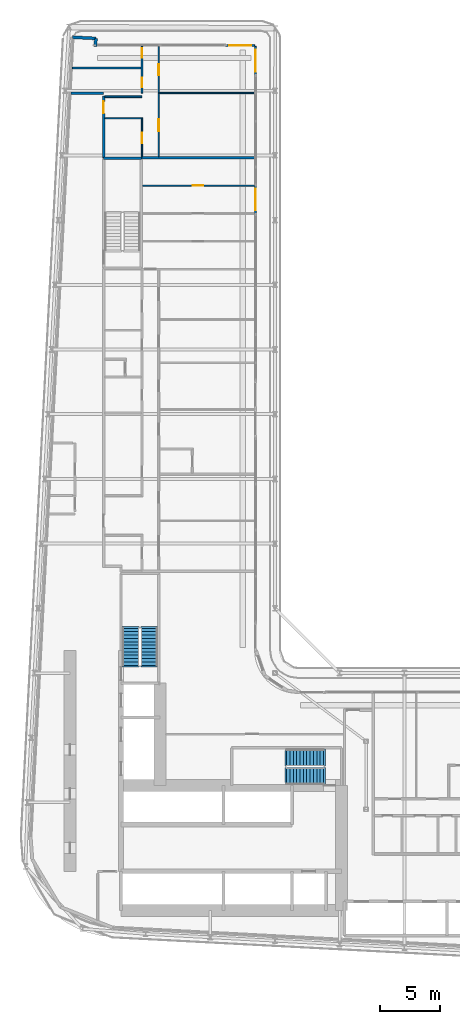
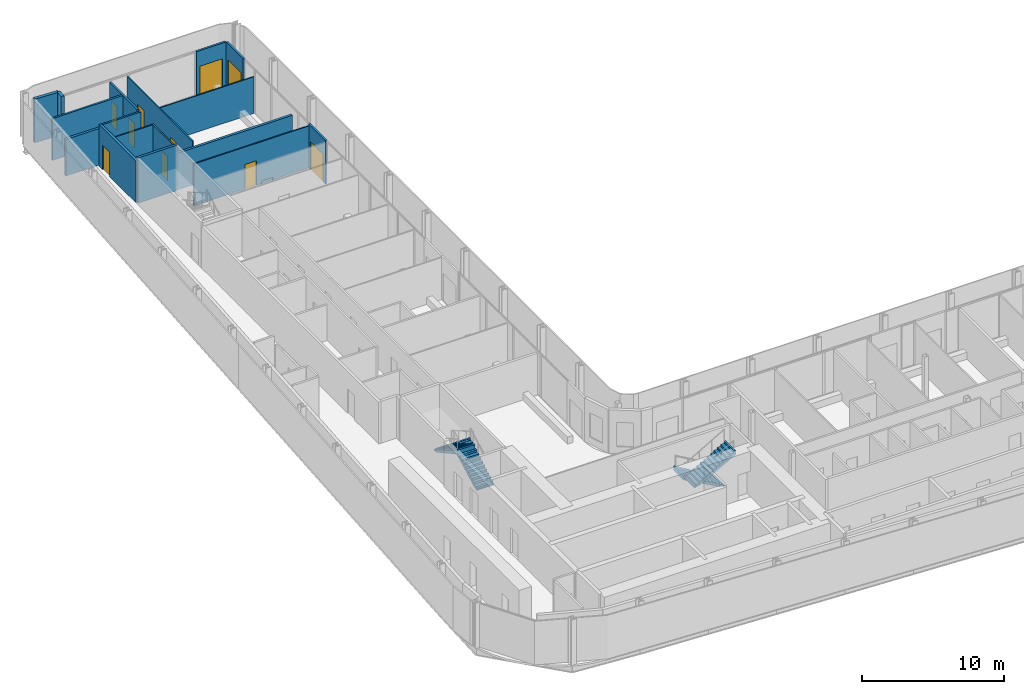
# One storey, part 21 of 29: 17 walls, 10 doors, 4 stair flights, 10 openings, 2 elements without a shape of their own.
"""IFC4 building model written with IfcOpenShell, lengths in metres."""

from ifc_helpers import new_model, si_unit, direction, frame, frame_2d, origin, place, context, subcontext, project, spatial, polyline, rectangle, outline, extrude, source, transform, mapped, material, layer, layer_set, type_object, element, fill, aggregate, save


model = new_model("IFC4")

# Units and contexts
model_context = context("Model", 3, precision=1e-05, world=origin(), true_north=direction((0.0, 1.0)))
body_context = subcontext(model_context, "Body", "Model", "MODEL_VIEW")
ifc_project = project(units=[si_unit("LENGTHUNIT", "METRE"), si_unit("AREAUNIT", "SQUARE_METRE"), si_unit("VOLUMEUNIT", "CUBIC_METRE"), si_unit("PLANEANGLEUNIT", "RADIAN"), si_unit("MASSUNIT", "GRAM", prefix="KILO")], contexts=[model_context])

# Site, building, storey
site_placement = place(None, origin())
site = spatial("IfcSite", under=ifc_project, at=site_placement, CompositionType="ELEMENT")
building_placement = place(site_placement, origin())
building = spatial("IfcBuilding", under=site, at=building_placement, Name="Kheshtan School and Residences Tower", CompositionType="ELEMENT")
storey_placement = place(building_placement, frame((0.0, 0.0, 61.699951171875)))
storey = spatial("IfcBuildingStorey", under=building, at=storey_placement, Name="L14", CompositionType="ELEMENT", Elevation=61.699951171875)

# Wall
ifc_material_1 = material(Name="Gypsum board on steel studs with fire boards", Category="steel")
ifc_layer_1 = layer(ifc_material_1, 0.199951171875)
ifc_layer_set_1 = layer_set([ifc_layer_1], Name="Corridor wall 200")
wall_type_1 = type_object("IfcWallType", Name="Corridor wall 200", PredefinedType="PARTITIONING", material=ifc_layer_set_1)
wall_1_placement = place(storey_placement, frame((30.584716796875, 94.0, 0.0), z_axis=(0.0, 0.0, 1.0), x_axis=(1.0, 0.0, 0.0)))
element("IfcWall", 1, at=wall_1_placement, inside=storey, type_object=wall_type_1, Name="Partition L14-002", PredefinedType="PARTITIONING", context=body_context, shape_type="SweptSolid", body=[
    extrude(rectangle(XDim=2.71533203125, YDim=0.199951171875, at=frame_2d((1.357666015625, 0.0))), origin(), (0.0, 0.0, 1.0), 3.14697265625),
])

# Wall, opening, door
wall_2_placement = place(storey_placement, frame((33.300048828125, 88.60009765625, 0.0), z_axis=(0.0, 0.0, 1.0), x_axis=(0.0, 1.0, 0.0)))
wall_2 = element("IfcWall", 2, at=wall_2_placement, inside=storey, type_object=wall_type_1, Name="Partition L14-004", PredefinedType="PARTITIONING", context=body_context, shape_type="SweptSolid", body=[
    extrude(rectangle(XDim=5.1748046875, YDim=0.199951171875, at=frame_2d((2.58740234375, 0.0))), origin(), (0.0, 0.0, 1.0), 3.60009765625),
])
opening_1_placement = place(wall_2_placement, frame((3.699951171875, 0.0, 0.0)))
opening_1 = element("IfcOpeningElement", 3, at=opening_1_placement, cuts=wall_2, Name="Opening D14-053", PredefinedType="OPENING", context=body_context, shape_type="SweptSolid", body=[
    extrude(rectangle(XDim=1.0, YDim=2.10009765625, at=frame_2d((0.5, 1.050048828125))), frame((0.0, 0.10986328125, 0.0), z_axis=(0.0, -1.0, 0.0), x_axis=(1.0, 0.0, 0.0)), (0.0, 0.0, 1.0), 0.219970703125),
])
ifc_material_2 = material(Name="Steel-framed fire-resisting door leaf", Category="steel")
door_type_1 = type_object("IfcDoorType", Name="Fire door FD30S 1000 x 2100", OperationType="SINGLE_SWING_LEFT", PredefinedType="DOOR", material=ifc_material_2)
shared_shape_1 = source(origin(), body_context, "Body", "SweptSolid", [
    extrude(rectangle(XDim=1.0, YDim=2.10009765625, at=frame_2d((0.5, 1.050048828125))), frame((0.0, 0.02490234375, 0.0), z_axis=(0.0, -1.0, 0.0), x_axis=(1.0, 0.0, 0.0)), (0.0, 0.0, 1.0), 0.050048828125),
])
door_1_placement = place(opening_1_placement, origin())
door_1 = element("IfcDoor", 4, at=door_1_placement, inside=storey, type_object=door_type_1, Name="Door D14-053", OperationType="SINGLE_SWING_RIGHT", OverallHeight=2.10009765625, OverallWidth=1.0, PredefinedType="DOOR", context=body_context, shape_type="MappedRepresentation", body=[
    mapped(shared_shape_1, transform((0.0, 0.0, 0.0), x_axis=(1.0, 0.0, 0.0), y_axis=(0.0, 1.0, 0.0), z_axis=(0.0, 0.0, 1.0), scale=1.0)),
])
fill(opening_1, door_1)

# Walls
ifc_material_3 = material(Name="Concrete C40/50 with ceramic cladding and mineral wool insulation", Category="concrete")
ifc_layer_2 = layer(ifc_material_3, 0.25)
ifc_layer_set_2 = layer_set([ifc_layer_2], Name="External wall 250 ceramic clad")
wall_type_2 = type_object("IfcWallType", Name="External wall 250 ceramic clad", PredefinedType="SOLIDWALL", material=ifc_layer_set_2)
wall_3_placement = place(storey_placement, frame((30.705078125, 98.6640625, 0.0), z_axis=(0.0, 0.0, 1.0), x_axis=(0.998577785791, -0.053314216913, 0.0)))
element("IfcWall", 5, at=wall_3_placement, inside=storey, type_object=wall_type_2, Name="External wall L14 5", PredefinedType="SOLIDWALL", context=body_context, shape_type="SweptSolid", body=[
    extrude(rectangle(XDim=1.95068359375, YDim=0.25, at=frame_2d((0.975341796875, 0.0))), origin(), (0.0, 0.0, 1.0), 3.75),
])
wall_4_placement = place(storey_placement, frame((32.653076171875, 98.56005859375, 0.0), z_axis=(0.0, 0.0, 1.0), x_axis=(-0.054093451632, -0.998535877418, 0.0)))
element("IfcWall", 6, at=wall_4_placement, inside=storey, type_object=wall_type_2, Name="External wall L14 6", PredefinedType="SOLIDWALL", context=body_context, shape_type="SweptSolid", body=[
    extrude(rectangle(XDim=0.66796875, YDim=0.25, at=frame_2d((0.333984375, 0.0))), origin(), (0.0, 0.0, 1.0), 3.75),
])

# Wall, opening, door
ifc_material_4 = material(Name="Aluminium frame wall with insulated infill", Category="aluminium")
ifc_layer_3 = layer(ifc_material_4, 0.14990234375)
ifc_layer_set_3 = layer_set([ifc_layer_3], Name="Glazing frame wall 150")
wall_type_3 = type_object("IfcWallType", Name="Glazing frame wall 150", PredefinedType="SOLIDWALL", material=ifc_layer_set_3)
wall_5_placement = place(storey_placement, frame((43.5, 97.97509765625, 0.0), z_axis=(0.0, 0.0, 1.0), x_axis=(1.0, 0.0, 0.0)))
wall_5 = element("IfcWall", 7, at=wall_5_placement, inside=storey, type_object=wall_type_3, Name="Balcony door wall L14 7.1", PredefinedType="SOLIDWALL", context=body_context, shape_type="SweptSolid", body=[
    extrude(rectangle(XDim=2.39990234375, YDim=0.14990234375, at=frame_2d((1.199951171875, 0.0))), origin(), (0.0, 0.0, 1.0), 3.75),
])
opening_2_placement = place(wall_5_placement, frame((0.300048828125, 0.0, 0.0)))
opening_2 = element("IfcOpeningElement", 8, at=opening_2_placement, cuts=wall_5, Name="Opening BD", PredefinedType="OPENING", context=body_context, shape_type="SweptSolid", body=[
    extrude(rectangle(XDim=1.800048828125, YDim=2.39990234375, at=frame_2d((0.89990234375, 1.199951171875))), frame((0.0, 0.0849609375, 0.0), z_axis=(0.0, -1.0, 0.0), x_axis=(1.0, 0.0, 0.0)), (0.0, 0.0, 1.0), 0.169921875),
])
ifc_material_5 = material(Name="Clear low-e glass in thermally broken aluminium frame", Category="aluminium")
door_type_2 = type_object("IfcDoorType", Name="Balcony sliding door", OperationType="SLIDING_TO_LEFT", PredefinedType="DOOR", material=ifc_material_5)
shared_shape_2 = source(origin(), body_context, "Body", "SweptSolid", [
    extrude(rectangle(XDim=1.800048828125, YDim=2.39990234375, at=frame_2d((0.89990234375, 1.199951171875))), frame((0.0, 0.02490234375, 0.0), z_axis=(0.0, -1.0, 0.0), x_axis=(1.0, 0.0, 0.0)), (0.0, 0.0, 1.0), 0.050048828125),
])
door_2_placement = place(opening_2_placement, origin())
door_2 = element("IfcDoor", 9, at=door_2_placement, inside=storey, type_object=door_type_2, Name="Balcony door L14 7.1", OperationType="SLIDING_TO_LEFT", OverallHeight=2.39990234375, OverallWidth=1.800048828125, PredefinedType="DOOR", context=body_context, shape_type="MappedRepresentation", body=[
    mapped(shared_shape_2, transform((0.0, 0.0, 0.0), x_axis=(1.0, 0.0, 0.0), y_axis=(0.0, 1.0, 0.0), z_axis=(0.0, 0.0, 1.0), scale=1.0)),
])
fill(opening_2, door_2)

wall_6_placement = place(storey_placement, frame((45.97509765625, 97.89990234375, 0.0), z_axis=(0.0, 0.0, 1.0), x_axis=(0.0, -1.0, 0.0)))
wall_6 = element("IfcWall", 10, at=wall_6_placement, inside=storey, type_object=wall_type_3, Name="Balcony door wall L14 8.1", PredefinedType="SOLIDWALL", context=body_context, shape_type="SweptSolid", body=[
    extrude(rectangle(XDim=2.39990234375, YDim=0.14990234375, at=frame_2d((1.199951171875, 0.0))), origin(), (0.0, 0.0, 1.0), 3.75),
])
opening_3_placement = place(wall_6_placement, frame((0.300048828125, 0.0, 0.0)))
opening_3 = element("IfcOpeningElement", 11, at=opening_3_placement, cuts=wall_6, Name="Opening BD", PredefinedType="OPENING", context=body_context, shape_type="SweptSolid", body=[
    extrude(rectangle(XDim=1.800048828125, YDim=2.39990234375, at=frame_2d((0.89990234375, 1.199951171875))), frame((0.0, 0.0849609375, 0.0), z_axis=(0.0, -1.0, 0.0), x_axis=(1.0, 0.0, 0.0)), (0.0, 0.0, 1.0), 0.169921875),
])
door_3_placement = place(opening_3_placement, origin())
door_3 = element("IfcDoor", 12, at=door_3_placement, inside=storey, type_object=door_type_2, Name="Balcony door L14 8.1", OperationType="SLIDING_TO_LEFT", OverallHeight=2.39990234375, OverallWidth=1.800048828125, PredefinedType="DOOR", context=body_context, shape_type="MappedRepresentation", body=[
    mapped(shared_shape_2, transform((0.0, 0.0, 0.0), x_axis=(1.0, 0.0, 0.0), y_axis=(0.0, 1.0, 0.0), z_axis=(0.0, 0.0, 1.0), scale=1.0)),
])
fill(opening_3, door_3)

wall_7_placement = place(storey_placement, frame((45.97509765625, 86.305908203125, 0.0), z_axis=(0.0, 0.0, 1.0), x_axis=(0.0, -1.0, 0.0)))
wall_7 = element("IfcWall", 13, at=wall_7_placement, inside=storey, type_object=wall_type_3, Name="Balcony door wall L14 8.2", PredefinedType="SOLIDWALL", context=body_context, shape_type="SweptSolid", body=[
    extrude(rectangle(XDim=2.39990234375, YDim=0.14990234375, at=frame_2d((1.199951171875, 0.0))), origin(), (0.0, 0.0, 1.0), 3.75),
])
opening_4_placement = place(wall_7_placement, frame((0.300048828125, 0.0, 0.0)))
opening_4 = element("IfcOpeningElement", 14, at=opening_4_placement, cuts=wall_7, Name="Opening BD", PredefinedType="OPENING", context=body_context, shape_type="SweptSolid", body=[
    extrude(rectangle(XDim=1.800048828125, YDim=2.39990234375, at=frame_2d((0.89990234375, 1.199951171875))), frame((0.0, 0.0849609375, 0.0), z_axis=(0.0, -1.0, 0.0), x_axis=(1.0, 0.0, 0.0)), (0.0, 0.0, 1.0), 0.169921875),
])
door_4_placement = place(opening_4_placement, origin())
door_4 = element("IfcDoor", 15, at=door_4_placement, inside=storey, type_object=door_type_2, Name="Balcony door L14 8.2", OperationType="SLIDING_TO_LEFT", OverallHeight=2.39990234375, OverallWidth=1.800048828125, PredefinedType="DOOR", context=body_context, shape_type="MappedRepresentation", body=[
    mapped(shared_shape_2, transform((0.0, 0.0, 0.0), x_axis=(1.0, 0.0, 0.0), y_axis=(0.0, 1.0, 0.0), z_axis=(0.0, 0.0, 1.0), scale=1.0)),
])
fill(opening_4, door_4)

# Wall
ifc_material_6 = material(Name="Gypsum board on steel studs", Category="steel")
ifc_layer_4 = layer(ifc_material_6, 0.10009765625)
ifc_layer_set_4 = layer_set([ifc_layer_4], Name="Gypsum partition 100")
wall_type_4 = type_object("IfcWallType", Name="Gypsum partition 100", PredefinedType="PARTITIONING", material=ifc_layer_set_4)
wall_8_placement = place(storey_placement, frame((33.39990234375, 91.89990234375, 0.0), z_axis=(0.0, 0.0, 1.0), x_axis=(1.0, 0.0, 0.0)))
element("IfcWall", 16, at=wall_8_placement, inside=storey, type_object=wall_type_4, Name="Partition L14-013", PredefinedType="PARTITIONING", context=body_context, shape_type="SweptSolid", body=[
    extrude(rectangle(XDim=3.050048828125, YDim=0.10009765625, at=frame_2d((1.52490234375, 0.0))), origin(), (0.0, 0.0, 1.0), 3.60009765625),
])

# Wall, opening, door
wall_9_placement = place(storey_placement, frame((36.5, 88.699951171875, 0.0), z_axis=(0.0, 0.0, 1.0), x_axis=(0.0, 1.0, 0.0)))
wall_9 = element("IfcWall", 17, at=wall_9_placement, inside=storey, type_object=wall_type_4, Name="Partition L14-022", PredefinedType="PARTITIONING", context=body_context, shape_type="SweptSolid", body=[
    extrude(rectangle(XDim=3.25, YDim=0.10009765625, at=frame_2d((1.625, 0.0))), origin(), (0.0, 0.0, 1.0), 3.60009765625),
])
opening_5_placement = place(wall_9_placement, frame((1.10009765625, 0.0, 0.0)))
opening_5 = element("IfcOpeningElement", 18, at=opening_5_placement, cuts=wall_9, Name="Opening D14-054", PredefinedType="OPENING", context=body_context, shape_type="SweptSolid", body=[
    extrude(rectangle(XDim=0.89990234375, YDim=2.10009765625, at=frame_2d((0.449951171875, 1.050048828125))), frame((0.0, 0.06005859375, 0.0), z_axis=(0.0, -1.0, 0.0), x_axis=(1.0, 0.0, 0.0)), (0.0, 0.0, 1.0), 0.1201171875),
])
ifc_material_7 = material(Name="Veneered timber door leaf", Category="wood")
door_type_3 = type_object("IfcDoorType", Name="Door 900 x 2100", OperationType="SINGLE_SWING_LEFT", PredefinedType="DOOR", material=ifc_material_7)
shared_shape_3 = source(origin(), body_context, "Body", "SweptSolid", [
    extrude(rectangle(XDim=0.89990234375, YDim=2.10009765625, at=frame_2d((0.449951171875, 1.050048828125))), frame((0.0, 0.02490234375, 0.0), z_axis=(0.0, -1.0, 0.0), x_axis=(1.0, 0.0, 0.0)), (0.0, 0.0, 1.0), 0.050048828125),
])
door_5_placement = place(opening_5_placement, origin())
door_5 = element("IfcDoor", 19, at=door_5_placement, inside=storey, type_object=door_type_3, Name="Door D14-054", OperationType="SINGLE_SWING_LEFT", OverallHeight=2.10009765625, OverallWidth=0.89990234375, PredefinedType="DOOR", context=body_context, shape_type="MappedRepresentation", body=[
    mapped(shared_shape_3, transform((0.0, 0.0, 0.0), x_axis=(1.0, 0.0, 0.0), y_axis=(0.0, 1.0, 0.0), z_axis=(0.0, 0.0, 1.0), scale=1.0)),
])
fill(opening_5, door_5)

wall_10_placement = place(storey_placement, frame((36.549072265625, 86.27490234375, 0.0), z_axis=(0.0, 0.0, 1.0), x_axis=(1.0, 0.0, 0.0)))
wall_10 = element("IfcWall", 20, at=wall_10_placement, inside=storey, type_object=wall_type_4, Name="Partition L14-026", PredefinedType="PARTITIONING", context=body_context, shape_type="SweptSolid", body=[
    extrude(rectangle(XDim=9.350830078125, YDim=0.10009765625, at=frame_2d((4.67529296875, 0.0))), origin(), (0.0, 0.0, 1.0), 3.60009765625),
])
opening_6_placement = place(wall_10_placement, frame((4.176025390625, 0.0, 0.0)))
opening_6 = element("IfcOpeningElement", 21, at=opening_6_placement, cuts=wall_10, Name="Opening D14-050", PredefinedType="OPENING", context=body_context, shape_type="SweptSolid", body=[
    extrude(rectangle(XDim=0.89990234375, YDim=2.10009765625, at=frame_2d((0.449951171875, 1.050048828125))), frame((0.0, 0.06005859375, 0.0), z_axis=(0.0, -1.0, 0.0), x_axis=(1.0, 0.0, 0.0)), (0.0, 0.0, 1.0), 0.1201171875),
])
door_6_placement = place(opening_6_placement, origin())
door_6 = element("IfcDoor", 22, at=door_6_placement, inside=storey, type_object=door_type_3, Name="Door D14-050", OperationType="SINGLE_SWING_RIGHT", OverallHeight=2.10009765625, OverallWidth=0.89990234375, PredefinedType="DOOR", context=body_context, shape_type="MappedRepresentation", body=[
    mapped(shared_shape_3, transform((0.0, 0.0, 0.0), x_axis=(1.0, 0.0, 0.0), y_axis=(0.0, 1.0, 0.0), z_axis=(0.0, 0.0, 1.0), scale=1.0)),
])
fill(opening_6, door_6)

# Wall, openings, doors
wall_11_placement = place(storey_placement, frame((37.89990234375, 88.699951171875, 0.0), z_axis=(0.0, 0.0, 1.0), x_axis=(0.0, 1.0, 0.0)))
wall_11 = element("IfcWall", 23, at=wall_11_placement, inside=storey, type_object=wall_type_4, Name="Partition L14-028", PredefinedType="PARTITIONING", context=body_context, shape_type="SweptSolid", body=[
    extrude(rectangle(XDim=9.199951171875, YDim=0.10009765625, at=frame_2d((4.60009765625, 0.0))), origin(), (0.0, 0.0, 1.0), 3.60009765625),
])
opening_7_placement = place(wall_11_placement, frame((6.800048828125, 0.0, 0.0)))
opening_7 = element("IfcOpeningElement", 24, at=opening_7_placement, cuts=wall_11, Name="Opening D14-052", PredefinedType="OPENING", context=body_context, shape_type="SweptSolid", body=[
    extrude(rectangle(XDim=0.89990234375, YDim=2.10009765625, at=frame_2d((0.449951171875, 1.050048828125))), frame((0.0, 0.06005859375, 0.0), z_axis=(0.0, -1.0, 0.0), x_axis=(1.0, 0.0, 0.0)), (0.0, 0.0, 1.0), 0.1201171875),
])
opening_8_placement = place(wall_11_placement, frame((2.10009765625, 0.0, 0.0)))
opening_8 = element("IfcOpeningElement", 25, at=opening_8_placement, cuts=wall_11, Name="Opening D14-055", PredefinedType="OPENING", context=body_context, shape_type="SweptSolid", body=[
    extrude(rectangle(XDim=1.0, YDim=2.10009765625, at=frame_2d((0.5, 1.050048828125))), frame((0.0, 0.06005859375, 0.0), z_axis=(0.0, -1.0, 0.0), x_axis=(1.0, 0.0, 0.0)), (0.0, 0.0, 1.0), 0.1201171875),
])
door_type_4 = type_object("IfcDoorType", Name="Door 1000 x 2100", OperationType="SINGLE_SWING_LEFT", PredefinedType="DOOR", material=ifc_material_7)
shared_shape_4 = source(origin(), body_context, "Body", "SweptSolid", [
    extrude(rectangle(XDim=1.0, YDim=2.10009765625, at=frame_2d((0.5, 1.050048828125))), frame((0.0, 0.02490234375, 0.0), z_axis=(0.0, -1.0, 0.0), x_axis=(1.0, 0.0, 0.0)), (0.0, 0.0, 1.0), 0.050048828125),
])
door_7_placement = place(opening_8_placement, origin())
door_7 = element("IfcDoor", 26, at=door_7_placement, inside=storey, type_object=door_type_4, Name="Door D14-055", OperationType="SINGLE_SWING_LEFT", OverallHeight=2.10009765625, OverallWidth=1.0, PredefinedType="DOOR", context=body_context, shape_type="MappedRepresentation", body=[
    mapped(shared_shape_4, transform((0.0, 0.0, 0.0), x_axis=(1.0, 0.0, 0.0), y_axis=(0.0, 1.0, 0.0), z_axis=(0.0, 0.0, 1.0), scale=1.0)),
])
fill(opening_8, door_7)
door_8_placement = place(opening_7_placement, origin())
door_8 = element("IfcDoor", 27, at=door_8_placement, inside=storey, type_object=door_type_3, Name="Door D14-052", OperationType="SINGLE_SWING_RIGHT", OverallHeight=2.10009765625, OverallWidth=0.89990234375, PredefinedType="DOOR", context=body_context, shape_type="MappedRepresentation", body=[
    mapped(shared_shape_3, transform((0.0, 0.0, 0.0), x_axis=(1.0, 0.0, 0.0), y_axis=(0.0, 1.0, 0.0), z_axis=(0.0, 0.0, 1.0), scale=1.0)),
])
fill(opening_7, door_8)

# Walls
wall_12_placement = place(storey_placement, frame((37.949951171875, 94.0, 0.0), z_axis=(0.0, 0.0, 1.0), x_axis=(1.0, 0.0, 0.0)))
element("IfcWall", 28, at=wall_12_placement, inside=storey, type_object=wall_type_4, Name="Partition L14-029", PredefinedType="PARTITIONING", context=body_context, shape_type="SweptSolid", body=[
    extrude(rectangle(XDim=7.949951171875, YDim=0.10009765625, at=frame_2d((3.97509765625, 0.0))), origin(), (0.0, 0.0, 1.0), 3.14697265625),
])
ifc_material_8 = material(Name="Concrete C40/50", Category="concrete")
ifc_layer_5 = layer(ifc_material_8, 0.199951171875)
ifc_layer_set_5 = layer_set([ifc_layer_5], Name="Stair enclosure wall 200 Concrete C40/50")
wall_type_5 = type_object("IfcWallType", Name="Stair enclosure wall 200 Concrete C40/50", PredefinedType="SHEAR", material=ifc_layer_set_5)
wall_13_placement = place(storey_placement, frame((33.300048828125, 88.56005859375, 0.0), z_axis=(0.0, 0.0, 1.0), x_axis=(1.0, 0.0, 0.0)))
element("IfcWall", 29, at=wall_13_placement, inside=storey, type_object=wall_type_5, Name="Stair enclosure wall ST3", PredefinedType="SHEAR", context=body_context, shape_type="SweptSolid", body=[
    extrude(rectangle(XDim=3.14990234375, YDim=0.199951171875, at=frame_2d((1.574951171875, 0.0))), origin(), (0.0, 0.0, 1.0), 3.900146484375),
])
ifc_material_9 = material(Name="Twin gypsum board on steel studs with mineral wool", Category="steel")
ifc_layer_6 = layer(ifc_material_9, 0.199951171875)
ifc_layer_set_6 = layer_set([ifc_layer_6], Name="Unit demising wall 200")
wall_type_6 = type_object("IfcWallType", Name="Unit demising wall 200", PredefinedType="PARTITIONING", material=ifc_layer_set_6)
wall_14_placement = place(storey_placement, frame((36.449951171875, 88.60009765625, 0.0), z_axis=(0.0, 0.0, 1.0), x_axis=(1.0, 0.0, 0.0)))
element("IfcWall", 30, at=wall_14_placement, inside=storey, type_object=wall_type_6, Name="Partition L14-018", PredefinedType="PARTITIONING", context=body_context, shape_type="SweptSolid", body=[
    extrude(rectangle(XDim=9.449951171875, YDim=0.199951171875, at=frame_2d((4.72509765625, 0.0))), origin(), (0.0, 0.0, 1.0), 3.14697265625),
])
ifc_material_10 = material(Name="Moisture-resistant gypsum board on steel studs", Category="steel")
ifc_layer_7 = layer(ifc_material_10, 0.14990234375)
ifc_layer_set_7 = layer_set([ifc_layer_7], Name="Wet-room partition 150")
wall_type_7 = type_object("IfcWallType", Name="Wet-room partition 150", PredefinedType="PARTITIONING", material=ifc_layer_set_7)
wall_15_placement = place(storey_placement, frame((30.695068359375, 96.10009765625, 0.0), z_axis=(0.0, 0.0, 1.0), x_axis=(1.0, 0.0, 0.0)))
element("IfcWall", 31, at=wall_15_placement, inside=storey, type_object=wall_type_7, Name="Partition L14-001", PredefinedType="PARTITIONING", context=body_context, shape_type="SweptSolid", body=[
    extrude(rectangle(XDim=5.72998046875, YDim=0.14990234375, at=frame_2d((2.864990234375, 0.0))), origin(), (0.0, 0.0, 1.0), 3.60009765625),
])
wall_16_placement = place(storey_placement, frame((33.39990234375, 93.699951171875, 0.0), z_axis=(0.0, 0.0, 1.0), x_axis=(1.0, 0.0, 0.0)))
element("IfcWall", 32, at=wall_16_placement, inside=storey, type_object=wall_type_7, Name="Partition L14-014", PredefinedType="PARTITIONING", context=body_context, shape_type="SweptSolid", body=[
    extrude(rectangle(XDim=3.10009765625, YDim=0.14990234375, at=frame_2d((1.550048828125, 0.0))), origin(), (0.0, 0.0, 1.0), 3.60009765625),
])

# Wall, openings, doors
wall_17_placement = place(storey_placement, frame((36.5, 94.0, 0.0), z_axis=(0.0, 0.0, 1.0), x_axis=(0.0, 1.0, 0.0)))
wall_17 = element("IfcWall", 33, at=wall_17_placement, inside=storey, type_object=wall_type_7, Name="Partition L14-023", PredefinedType="PARTITIONING", context=body_context, shape_type="SweptSolid", body=[
    extrude(rectangle(XDim=3.89990234375, YDim=0.14990234375, at=frame_2d((1.949951171875, 0.0))), origin(), (0.0, 0.0, 1.0), 3.60009765625),
])
opening_9_placement = place(wall_17_placement, frame((0.5, 0.0, 0.0)))
opening_9 = element("IfcOpeningElement", 34, at=opening_9_placement, cuts=wall_17, Name="Opening D14-051", PredefinedType="OPENING", context=body_context, shape_type="SweptSolid", body=[
    extrude(rectangle(XDim=0.800048828125, YDim=2.10009765625, at=frame_2d((0.39990234375, 1.050048828125))), frame((0.0, 0.0849609375, 0.0), z_axis=(0.0, -1.0, 0.0), x_axis=(1.0, 0.0, 0.0)), (0.0, 0.0, 1.0), 0.169921875),
])
opening_10_placement = place(wall_17_placement, frame((2.949951171875, 0.0, 0.0)))
opening_10 = element("IfcOpeningElement", 35, at=opening_10_placement, cuts=wall_17, Name="Opening D14-056", PredefinedType="OPENING", context=body_context, shape_type="SweptSolid", body=[
    extrude(rectangle(XDim=0.800048828125, YDim=2.10009765625, at=frame_2d((0.39990234375, 1.050048828125))), frame((0.0, 0.0849609375, 0.0), z_axis=(0.0, -1.0, 0.0), x_axis=(1.0, 0.0, 0.0)), (0.0, 0.0, 1.0), 0.169921875),
])
door_type_5 = type_object("IfcDoorType", Name="Door 800 x 2100", OperationType="SINGLE_SWING_LEFT", PredefinedType="DOOR", material=ifc_material_7)
shared_shape_5 = source(origin(), body_context, "Body", "SweptSolid", [
    extrude(rectangle(XDim=0.800048828125, YDim=2.10009765625, at=frame_2d((0.39990234375, 1.050048828125))), frame((0.0, 0.02490234375, 0.0), z_axis=(0.0, -1.0, 0.0), x_axis=(1.0, 0.0, 0.0)), (0.0, 0.0, 1.0), 0.050048828125),
])
door_9_placement = place(opening_9_placement, origin())
door_9 = element("IfcDoor", 36, at=door_9_placement, inside=storey, type_object=door_type_5, Name="Door D14-051", OperationType="SINGLE_SWING_LEFT", OverallHeight=2.10009765625, OverallWidth=0.800048828125, PredefinedType="DOOR", context=body_context, shape_type="MappedRepresentation", body=[
    mapped(shared_shape_5, transform((0.0, 0.0, 0.0), x_axis=(1.0, 0.0, 0.0), y_axis=(0.0, 1.0, 0.0), z_axis=(0.0, 0.0, 1.0), scale=1.0)),
])
fill(opening_9, door_9)
door_10_placement = place(opening_10_placement, origin())
door_10 = element("IfcDoor", 37, at=door_10_placement, inside=storey, type_object=door_type_5, Name="Door D14-056", OperationType="SINGLE_SWING_LEFT", OverallHeight=2.10009765625, OverallWidth=0.800048828125, PredefinedType="DOOR", context=body_context, shape_type="MappedRepresentation", body=[
    mapped(shared_shape_5, transform((0.0, 0.0, 0.0), x_axis=(1.0, 0.0, 0.0), y_axis=(0.0, 1.0, 0.0), z_axis=(0.0, 0.0, 1.0), scale=1.0)),
])
fill(opening_10, door_10)

# Stair, stair flights
stair_type = type_object("IfcStairType", Name="Exit stair, half-turn", PredefinedType="HALF_TURN_STAIR", material=ifc_material_8)
stair_1_placement = place(storey_placement, origin())
stair_1 = element("IfcStair", 38, at=stair_1_placement, inside=storey, type_object=stair_type, Name="L14 Protected Exit Stair ST1", PredefinedType="HALF_TURN_STAIR")
ifc_layer_8 = layer(ifc_material_8, 0.14990234375)
ifc_layer_set_8 = layer_set([ifc_layer_8], Name="Stair flight 1400 Concrete C40/50")
stair_flight_type = type_object("IfcStairFlightType", Name="Stair flight 1400 Concrete C40/50", PredefinedType="STRAIGHT", material=ifc_layer_set_8)
stair_flight_1_placement = place(storey_placement, frame((51.64990234375, 38.550048828125, 0.0), z_axis=(0.0, 0.0, 1.0), x_axis=(-1.0, 0.0, 0.0)))
stair_flight_1 = element("IfcStairFlight", 39, at=stair_flight_1_placement, type_object=stair_flight_type, Name="ST1 flight 1", NumberOfRisers=12, NumberOfTreads=11, PredefinedType="STRAIGHT", RiserHeight=0.1625, TreadLength=0.28, context=body_context, shape_type="SweptSolid", body=[
    extrude(outline(polyline([(-0.14990234375, -0.10009765625), (-0.14990234375, 0.0), (0.0, 0.0), (0.0, 0.16259765625), (0.280029296875, 0.16259765625), (0.280029296875, 0.324951171875), (0.56005859375, 0.324951171875), (0.56005859375, 0.487548828125), (0.840087890625, 0.487548828125), (0.840087890625, 0.64990234375), (1.1201171875, 0.64990234375), (1.1201171875, 0.8125), (1.39990234375, 0.8125), (1.39990234375, 0.97509765625), (1.679931640625, 0.97509765625), (1.679931640625, 1.137451171875), (1.9599609375, 1.137451171875), (1.9599609375, 1.300048828125), (2.239990234375, 1.300048828125), (2.239990234375, 1.46240234375), (2.52001953125, 1.46240234375), (2.52001953125, 1.625), (2.800048828125, 1.625), (2.800048828125, 1.78759765625), (3.080078125, 1.78759765625), (3.080078125, 1.949951171875), (3.080078125, 1.969970703125), (3.22998046875, 1.969970703125), (3.22998046875, 1.6142578125), (0.298583984375, 0.0), (-0.14990234375, -0.10009765625)])), frame((0.0, 0.699951171875, 0.0), z_axis=(0.0, -1.0, 0.0), x_axis=(1.0, 0.0, 0.0)), (0.0, 0.0, 1.0), 1.39990234375),
])
stair_flight_2_placement = place(storey_placement, frame((48.570068359375, 37.0, 1.949951171875), z_axis=(0.0, 0.0, 1.0), x_axis=(1.0, 0.0, 0.0)))
stair_flight_2 = element("IfcStairFlight", 40, at=stair_flight_2_placement, type_object=stair_flight_type, Name="ST1 flight 2", NumberOfRisers=12, NumberOfTreads=11, PredefinedType="STRAIGHT", RiserHeight=0.1625, TreadLength=0.28, context=body_context, shape_type="SweptSolid", body=[
    extrude(outline(polyline([(-0.14990234375, -0.10009765625), (-0.14990234375, 0.0), (0.0, 0.0), (0.0, 0.16259765625), (0.280029296875, 0.16259765625), (0.280029296875, 0.324951171875), (0.56005859375, 0.324951171875), (0.56005859375, 0.487548828125), (0.840087890625, 0.487548828125), (0.840087890625, 0.64990234375), (1.1201171875, 0.64990234375), (1.1201171875, 0.8125), (1.39990234375, 0.8125), (1.39990234375, 0.97509765625), (1.679931640625, 0.97509765625), (1.679931640625, 1.137451171875), (1.9599609375, 1.137451171875), (1.9599609375, 1.300048828125), (2.239990234375, 1.300048828125), (2.239990234375, 1.46240234375), (2.52001953125, 1.46240234375), (2.52001953125, 1.625), (2.800048828125, 1.625), (2.800048828125, 1.78759765625), (3.080078125, 1.78759765625), (3.080078125, 1.949951171875), (3.080078125, 1.969970703125), (3.22998046875, 1.969970703125), (3.22998046875, 1.6142578125), (0.298583984375, 0.0), (-0.14990234375, -0.10009765625)])), frame((0.0, 0.699951171875, 0.0), z_axis=(0.0, -1.0, 0.0), x_axis=(1.0, 0.0, 0.0)), (0.0, 0.0, 1.0), 1.39990234375),
])
aggregate(stair_1, [stair_flight_1, stair_flight_2])

stair_2_placement = place(storey_placement, origin())
stair_2 = element("IfcStair", 41, at=stair_2_placement, inside=storey, type_object=stair_type, Name="L14 Protected Exit Stair ST2", PredefinedType="HALF_TURN_STAIR")
stair_flight_3_placement = place(storey_placement, frame((37.10009765625, 46.25, 0.0), z_axis=(0.0, 0.0, 1.0), x_axis=(0.0, 1.0, 0.0)))
stair_flight_3 = element("IfcStairFlight", 42, at=stair_flight_3_placement, type_object=stair_flight_type, Name="ST2 flight 1", NumberOfRisers=12, NumberOfTreads=11, PredefinedType="STRAIGHT", RiserHeight=0.1625, TreadLength=0.28, context=body_context, shape_type="SweptSolid", body=[
    extrude(outline(polyline([(-0.14990234375, -0.10009765625), (-0.14990234375, 0.0), (0.0, 0.0), (0.0, 0.16259765625), (0.280029296875, 0.16259765625), (0.280029296875, 0.324951171875), (0.56005859375, 0.324951171875), (0.56005859375, 0.487548828125), (0.840087890625, 0.487548828125), (0.840087890625, 0.64990234375), (1.1201171875, 0.64990234375), (1.1201171875, 0.8125), (1.39990234375, 0.8125), (1.39990234375, 0.97509765625), (1.679931640625, 0.97509765625), (1.679931640625, 1.137451171875), (1.9599609375, 1.137451171875), (1.9599609375, 1.300048828125), (2.239990234375, 1.300048828125), (2.239990234375, 1.46240234375), (2.52001953125, 1.46240234375), (2.52001953125, 1.625), (2.800048828125, 1.625), (2.800048828125, 1.78759765625), (3.080078125, 1.78759765625), (3.080078125, 1.949951171875), (3.080078125, 1.969970703125), (3.22998046875, 1.969970703125), (3.22998046875, 1.6142578125), (0.298583984375, 0.0), (-0.14990234375, -0.10009765625)])), frame((0.0, 0.699951171875, 0.0), z_axis=(0.0, -1.0, 0.0), x_axis=(1.0, 0.0, 0.0)), (0.0, 0.0, 1.0), 1.39990234375),
])
stair_flight_4_placement = place(storey_placement, frame((35.550048828125, 49.330078125, 1.949951171875), z_axis=(0.0, 0.0, 1.0), x_axis=(0.0, -1.0, 0.0)))
stair_flight_4 = element("IfcStairFlight", 43, at=stair_flight_4_placement, type_object=stair_flight_type, Name="ST2 flight 2", NumberOfRisers=12, NumberOfTreads=11, PredefinedType="STRAIGHT", RiserHeight=0.1625, TreadLength=0.28, context=body_context, shape_type="SweptSolid", body=[
    extrude(outline(polyline([(-0.14990234375, -0.10009765625), (-0.14990234375, 0.0), (0.0, 0.0), (0.0, 0.16259765625), (0.280029296875, 0.16259765625), (0.280029296875, 0.324951171875), (0.56005859375, 0.324951171875), (0.56005859375, 0.487548828125), (0.840087890625, 0.487548828125), (0.840087890625, 0.64990234375), (1.1201171875, 0.64990234375), (1.1201171875, 0.8125), (1.39990234375, 0.8125), (1.39990234375, 0.97509765625), (1.679931640625, 0.97509765625), (1.679931640625, 1.137451171875), (1.9599609375, 1.137451171875), (1.9599609375, 1.300048828125), (2.239990234375, 1.300048828125), (2.239990234375, 1.46240234375), (2.52001953125, 1.46240234375), (2.52001953125, 1.625), (2.800048828125, 1.625), (2.800048828125, 1.78759765625), (3.080078125, 1.78759765625), (3.080078125, 1.949951171875), (3.080078125, 1.969970703125), (3.22998046875, 1.969970703125), (3.22998046875, 1.6142578125), (0.298583984375, 0.0), (-0.14990234375, -0.10009765625)])), frame((0.0, 0.699951171875, 0.0), z_axis=(0.0, -1.0, 0.0), x_axis=(1.0, 0.0, 0.0)), (0.0, 0.0, 1.0), 1.39990234375),
])
aggregate(stair_2, [stair_flight_3, stair_flight_4])

save(model, "model.ifc")
